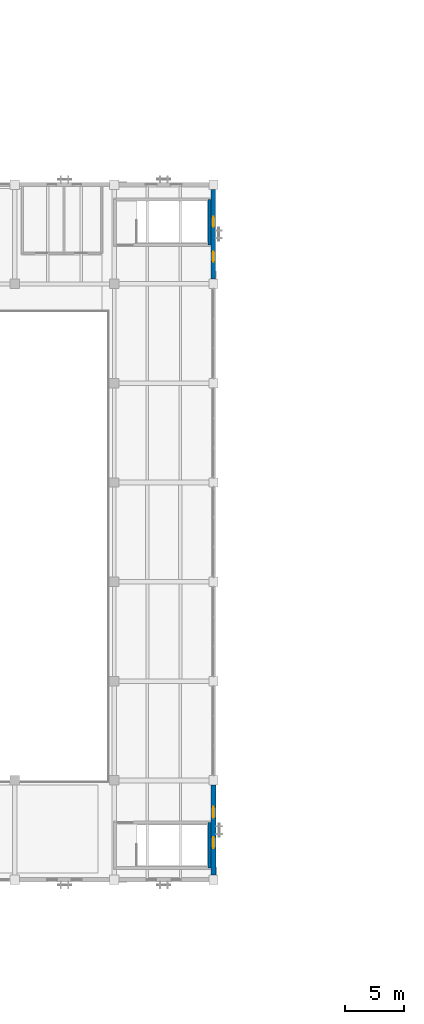
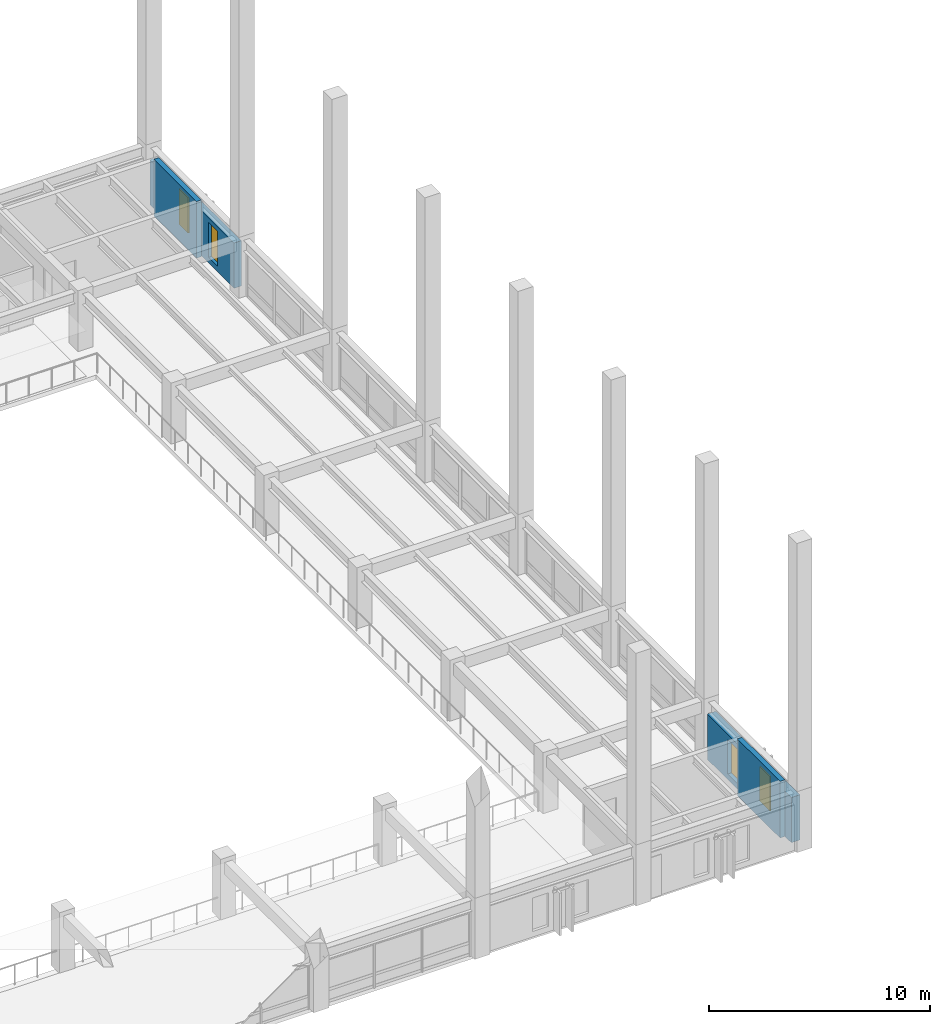
# One storey, part 32 of 64: 4 walls, 4 windows, 4 openings.
"""IFC4 building model written with IfcOpenShell, lengths in metres."""

from ifc_helpers import new_model, si_unit, direction, frame, frame_2d, origin, place, context, subcontext, project, spatial, rectangle, extrude, material, layer, layer_set, type_object, element, fill, save


model = new_model("IFC4")

# Units and contexts
model_context = context("Model", 3, precision=1e-05, world=origin(), true_north=direction((0.0, 1.0)))
body_context = subcontext(model_context, "Body", "Model", "MODEL_VIEW")
ifc_project = project(units=[si_unit("LENGTHUNIT", "METRE"), si_unit("AREAUNIT", "SQUARE_METRE"), si_unit("VOLUMEUNIT", "CUBIC_METRE"), si_unit("PLANEANGLEUNIT", "RADIAN"), si_unit("MASSUNIT", "GRAM", prefix="KILO")], contexts=[model_context])

# Site, building, storey
site_placement = place(None, origin())
site = spatial("IfcSite", under=ifc_project, at=site_placement, CompositionType="ELEMENT")
building_placement = place(site_placement, origin())
building = spatial("IfcBuilding", under=site, at=building_placement, Name="Cumbredor Promenade Congress Hotel", CompositionType="ELEMENT")
storey_placement = place(building_placement, frame((0.0, 0.0, 18.47998046875)))
storey = spatial("IfcBuildingStorey", under=building, at=storey_placement, Name="L05", CompositionType="ELEMENT", Elevation=18.47998046875)

# Wall, openings, windows
ifc_material_1 = material(Name="Concrete C40/50", Category="concrete")
ifc_layer_1 = layer(ifc_material_1, 0.3798828125, Name="Concrete C40/50", Category="concrete")
ifc_layer_set_1 = layer_set([ifc_layer_1], Name="Concrete C40/50")
wall_type_1 = type_object("IfcWallType", Name="WL-EXT-380", PredefinedType="SOLIDWALL", material=ifc_layer_set_1)
wall_1_placement = place(storey_placement, frame((67.199951171875, 59.200927734375, 0.0), z_axis=(0.0, 0.0, 1.0), x_axis=(0.0, 1.0, 0.0)))
wall_1 = element("IfcWall", 1, at=wall_1_placement, inside=storey, type_object=wall_type_1, Name="L05 Plenary Congress Hall East Envelope Wall 7", PredefinedType="SOLIDWALL", context=body_context, shape_type="SweptSolid", body=[
    extrude(rectangle(XDim=7.59814453125, YDim=0.3798828125, at=frame_2d((3.799072265625, 0.0))), origin(), (0.0, 0.0, 1.0), 2.494140625),
])
opening_1_placement = place(wall_1_placement, frame((1.47900390625, 0.0, 0.300048828125)))
opening_1 = element("IfcOpeningElement", 2, at=opening_1_placement, cuts=wall_1, Name="Opening WN-51", PredefinedType="OPENING", context=body_context, shape_type="SweptSolid", body=[
    extrude(rectangle(XDim=0.840087890625, YDim=1.949951171875, at=frame_2d((0.419921875, 0.97509765625))), frame((0.0, 0.199951171875, 0.0), z_axis=(0.0, -1.0, 0.0), x_axis=(1.0, 0.0, 0.0)), (0.0, 0.0, 1.0), 0.39990234375),
])
opening_2_placement = place(wall_1_placement, frame((4.428955078125, 0.0, 0.300048828125)))
opening_2 = element("IfcOpeningElement", 3, at=opening_2_placement, cuts=wall_1, Name="Opening WN-51", PredefinedType="OPENING", context=body_context, shape_type="SweptSolid", body=[
    extrude(rectangle(XDim=0.840087890625, YDim=1.949951171875, at=frame_2d((0.419921875, 0.97509765625))), frame((0.0, 0.199951171875, 0.0), z_axis=(0.0, -1.0, 0.0), x_axis=(1.0, 0.0, 0.0)), (0.0, 0.0, 1.0), 0.39990234375),
])
ifc_material_2 = material(Name="Thermally broken anodized aluminium and low-E glass", Category="aluminium")
window_type_1 = type_object("IfcWindowType", Name="Vertical Slot Window WN-51 840x1950", PartitioningType="SINGLE_PANEL", PredefinedType="WINDOW", material=ifc_material_2)
window_1_placement = place(opening_1_placement, origin())
window_1 = element("IfcWindow", 4, at=window_1_placement, inside=storey, type_object=window_type_1, Name="L05 Vertical Slot Window 0540", OverallHeight=1.949951171875, OverallWidth=0.840087890625, PartitioningType="SINGLE_PANEL", PredefinedType="WINDOW", context=body_context, shape_type="SweptSolid", body=[
    extrude(rectangle(XDim=0.840087890625, YDim=1.949951171875, at=frame_2d((0.419921875, 0.97509765625))), frame((0.0, 0.030029296875, 0.0), z_axis=(0.0, -1.0, 0.0), x_axis=(1.0, 0.0, 0.0)), (0.0, 0.0, 1.0), 0.06005859375),
])
fill(opening_1, window_1)
window_2_placement = place(opening_2_placement, origin())
window_2 = element("IfcWindow", 5, at=window_2_placement, inside=storey, type_object=window_type_1, Name="L05 Vertical Slot Window 0541", OverallHeight=1.949951171875, OverallWidth=0.840087890625, PartitioningType="SINGLE_PANEL", PredefinedType="WINDOW", context=body_context, shape_type="SweptSolid", body=[
    extrude(rectangle(XDim=0.840087890625, YDim=1.949951171875, at=frame_2d((0.419921875, 0.97509765625))), frame((0.0, 0.030029296875, 0.0), z_axis=(0.0, -1.0, 0.0), x_axis=(1.0, 0.0, 0.0)), (0.0, 0.0, 1.0), 0.06005859375),
])
fill(opening_2, window_2)

ifc_layer_2 = layer(ifc_material_1, 0.449951171875, Name="Concrete C40/50", Category="concrete")
ifc_layer_set_2 = layer_set([ifc_layer_2], Name="Concrete C40/50")
wall_type_2 = type_object("IfcWallType", Name="WL-EXT-450", PredefinedType="SOLIDWALL", material=ifc_layer_set_2)
wall_2_placement = place(storey_placement, frame((67.199951171875, 8.801025390625, 0.0), z_axis=(0.0, 0.0, 1.0), x_axis=(0.0, 1.0, 0.0)))
wall_2 = element("IfcWall", 6, at=wall_2_placement, inside=storey, type_object=wall_type_2, Name="L05 Plenary Congress Hall East Envelope Wall 1", PredefinedType="SOLIDWALL", context=body_context, shape_type="SweptSolid", body=[
    extrude(rectangle(XDim=7.597900390625, YDim=0.449951171875, at=frame_2d((3.798828125, 0.0))), origin(), (0.0, 0.0, 1.0), 2.494140625),
])
opening_3_placement = place(wall_2_placement, frame((2.283935546875, 0.0, 0.300048828125)))
opening_3 = element("IfcOpeningElement", 7, at=opening_3_placement, cuts=wall_2, Name="Opening WN-68", PredefinedType="OPENING", context=body_context, shape_type="SweptSolid", body=[
    extrude(rectangle(XDim=0.929931640625, YDim=1.89990234375, at=frame_2d((0.46484375, 0.949951171875))), frame((0.0, 0.23486328125, 0.0), z_axis=(0.0, -1.0, 0.0), x_axis=(1.0, 0.0, 0.0)), (0.0, 0.0, 1.0), 0.469970703125),
])
opening_4_placement = place(wall_2_placement, frame((4.833984375, 0.0, 0.300048828125)))
opening_4 = element("IfcOpeningElement", 8, at=opening_4_placement, cuts=wall_2, Name="Opening WN-68", PredefinedType="OPENING", context=body_context, shape_type="SweptSolid", body=[
    extrude(rectangle(XDim=0.929931640625, YDim=1.89990234375, at=frame_2d((0.46484375, 0.949951171875))), frame((0.0, 0.23486328125, 0.0), z_axis=(0.0, -1.0, 0.0), x_axis=(1.0, 0.0, 0.0)), (0.0, 0.0, 1.0), 0.469970703125),
])
window_type_2 = type_object("IfcWindowType", Name="Vertical Slot Window WN-68 930x1900", PartitioningType="SINGLE_PANEL", PredefinedType="WINDOW", material=ifc_material_2)
window_3_placement = place(opening_3_placement, origin())
window_3 = element("IfcWindow", 9, at=window_3_placement, inside=storey, type_object=window_type_2, Name="L05 Vertical Slot Window 0538", OverallHeight=1.89990234375, OverallWidth=0.929931640625, PartitioningType="SINGLE_PANEL", PredefinedType="WINDOW", context=body_context, shape_type="SweptSolid", body=[
    extrude(rectangle(XDim=0.929931640625, YDim=1.89990234375, at=frame_2d((0.46484375, 0.949951171875))), frame((0.0, 0.030029296875, 0.0), z_axis=(0.0, -1.0, 0.0), x_axis=(1.0, 0.0, 0.0)), (0.0, 0.0, 1.0), 0.06005859375),
])
fill(opening_3, window_3)
window_4_placement = place(opening_4_placement, origin())
window_4 = element("IfcWindow", 10, at=window_4_placement, inside=storey, type_object=window_type_2, Name="L05 Vertical Slot Window 0539", OverallHeight=1.89990234375, OverallWidth=0.929931640625, PartitioningType="SINGLE_PANEL", PredefinedType="WINDOW", context=body_context, shape_type="SweptSolid", body=[
    extrude(rectangle(XDim=0.929931640625, YDim=1.89990234375, at=frame_2d((0.46484375, 0.949951171875))), frame((0.0, 0.030029296875, 0.0), z_axis=(0.0, -1.0, 0.0), x_axis=(1.0, 0.0, 0.0)), (0.0, 0.0, 1.0), 0.06005859375),
])
fill(opening_4, window_4)

# Walls
ifc_layer_3 = layer(ifc_material_1, 0.2548828125, Name="Concrete C40/50", Category="concrete")
ifc_layer_set_3 = layer_set([ifc_layer_3], Name="Concrete C40/50")
wall_type_3 = type_object("IfcWallType", Name="WL-SHAFT-250", PredefinedType="SOLIDWALL", material=ifc_layer_set_3)
wall_3_placement = place(storey_placement, frame((66.85009765625, 9.3798828125, 0.0), z_axis=(0.0, 0.0, 1.0), x_axis=(0.0, 1.0, 0.0)))
element("IfcWall", 11, at=wall_3_placement, inside=storey, type_object=wall_type_3, Name="STAIR-ST-05-L05 Shaft Wall East", PredefinedType="SOLIDWALL", context=body_context, shape_type="SweptSolid", body=[
    extrude(rectangle(XDim=3.8701171875, YDim=0.2548828125, at=frame_2d((1.93505859375, 0.0))), origin(), (0.0, 0.0, 1.0), 3.125),
])
wall_4_placement = place(storey_placement, frame((66.85009765625, 62.10009765625, 0.0), z_axis=(0.0, 0.0, 1.0), x_axis=(0.0, 1.0, 0.0)))
element("IfcWall", 12, at=wall_4_placement, inside=storey, type_object=wall_type_3, Name="STAIR-ST-07-L05 Shaft Wall East", PredefinedType="SOLIDWALL", context=body_context, shape_type="SweptSolid", body=[
    extrude(rectangle(XDim=3.849853515625, YDim=0.2548828125, at=frame_2d((1.9248046875, 0.0))), origin(), (0.0, 0.0, 1.0), 3.125),
])

save(model, "model.ifc")
